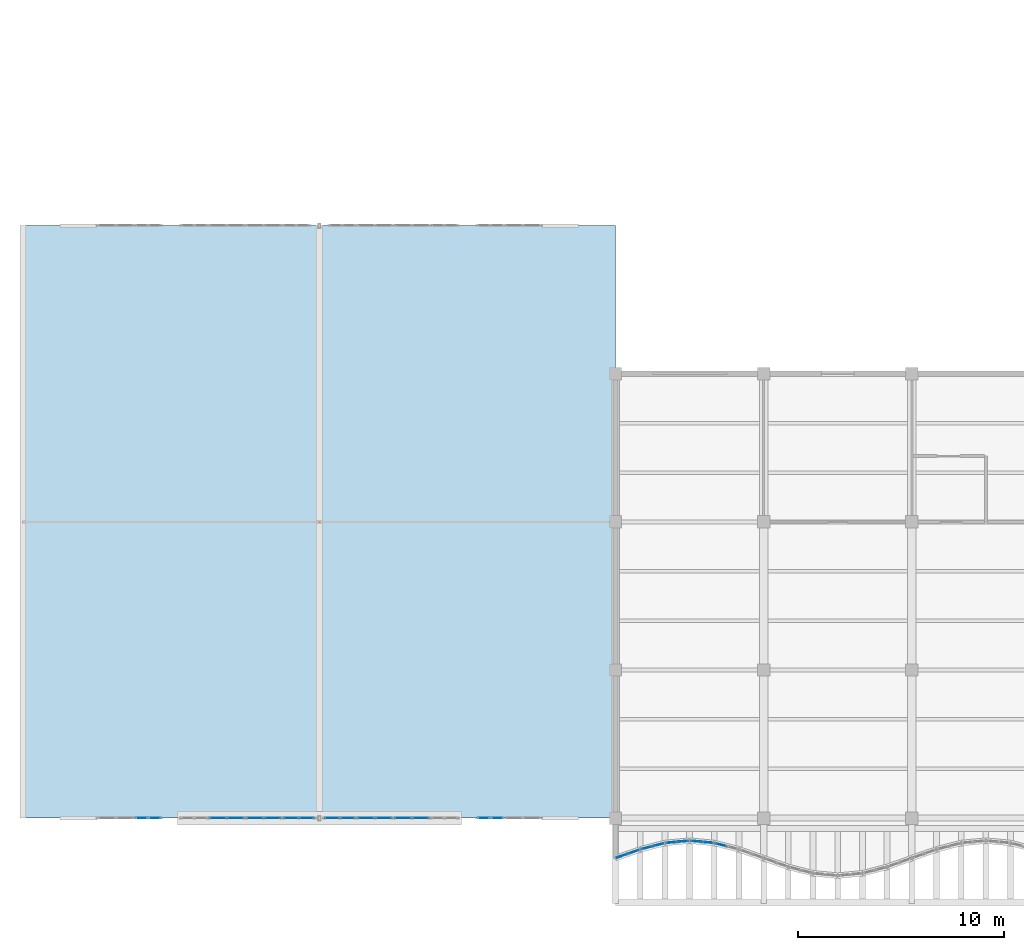
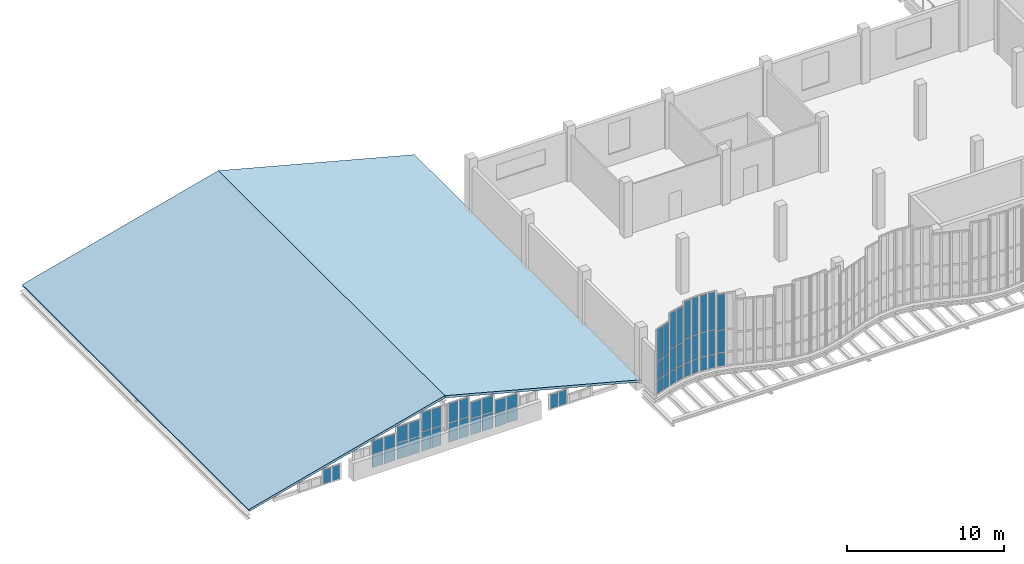
# One storey, part 49 of 76: 55 plates, 2 slabs, 14 elements without a shape of their own.
"""IFC4 building model written with IfcOpenShell, lengths in metres."""

from ifc_helpers import new_model, si_unit, direction, frame, origin, origin_2d, place, context, subcontext, project, spatial, polyline, rectangle, outline, extrude, material, layer, layer_set, type_object, element, aggregate, save


model = new_model("IFC4")

# Units and contexts
model_context = context("Model", 3, precision=1e-05, world=origin(), true_north=direction((0.0, 1.0)))
body_context = subcontext(model_context, "Body", "Model", "MODEL_VIEW")
ifc_project = project(units=[si_unit("LENGTHUNIT", "METRE"), si_unit("AREAUNIT", "SQUARE_METRE"), si_unit("VOLUMEUNIT", "CUBIC_METRE"), si_unit("PLANEANGLEUNIT", "RADIAN"), si_unit("MASSUNIT", "GRAM", prefix="KILO"), si_unit("THERMODYNAMICTEMPERATUREUNIT", "KELVIN"), si_unit("POWERUNIT", "WATT")], contexts=[model_context])

# Site, building, storey
site_placement = place(None, origin())
site = spatial("IfcSite", under=ifc_project, at=site_placement, CompositionType="ELEMENT")
building_placement = place(site_placement, origin())
building = spatial("IfcBuilding", under=site, at=building_placement, Name="Kaldorven Railside Theatre", CompositionType="ELEMENT")
storey_placement = place(building_placement, frame((0.0, 0.0, 14.39990234375)))
storey = spatial("IfcBuildingStorey", under=building, at=storey_placement, Name="L03", CompositionType="ELEMENT", Elevation=14.39990234375)

# Curtain wall, plates
ifc_material_1 = material(Name="Low-E laminated solar-control glass", Category="glass")
ifc_layer_1 = layer(ifc_material_1, 0.159912109375, Name="Low-E laminated solar-control glass")
ifc_layer_set_1 = layer_set([ifc_layer_1], Name="Low-E laminated solar-control glass")
curtain_wall_type_1 = type_object("IfcCurtainWallType", Name="CWT-08", PredefinedType="USERDEFINED", material=ifc_layer_set_1)
curtain_wall_1_placement = place(storey_placement, origin())
curtain_wall_1 = element("IfcCurtainWall", 1, at=curtain_wall_1_placement, inside=storey, type_object=curtain_wall_type_1, Name="Sinusoidal Fluted Curtain Wall CW-L03-S01", ObjectType="FLUTED GLAZING", PredefinedType="USERDEFINED")
ifc_layer_2 = layer(ifc_material_1, 0.035888671875, Name="Low-E laminated solar-control glass")
ifc_layer_set_2 = layer_set([ifc_layer_2], Name="Low-E laminated solar-control glass")
plate_type_1 = type_object("IfcPlateType", Name="CWP-CREST36", PredefinedType="CURTAIN_PANEL", material=ifc_layer_set_2)
plate_1_placement = place(storey_placement, frame((37.118896484375, 17.363037109375, 0.06005859375), z_axis=(0.0, 0.0, 1.0), x_axis=(0.942627225159, 0.33384714225, 0.0)))
plate_1 = element("IfcPlate", 2, at=plate_1_placement, type_object=plate_type_1, Name="CW-L03-S01 panel 1.1", PredefinedType="CURTAIN_PANEL", context=body_context, shape_type="SweptSolid", body=[
    extrude(rectangle(XDim=0.5166015625, YDim=0.035888671875, at=origin_2d()), origin(), (0.0, 0.0, 1.0), 1.010009765625),
])
plate_2_placement = place(storey_placement, frame((37.118896484375, 17.363037109375, 1.1298828125), z_axis=(0.0, 0.0, 1.0), x_axis=(0.942627225159, 0.33384714225, 0.0)))
plate_2 = element("IfcPlate", 3, at=plate_2_placement, type_object=plate_type_1, Name="CW-L03-S01 panel 1.2", PredefinedType="CURTAIN_PANEL", context=body_context, shape_type="SweptSolid", body=[
    extrude(rectangle(XDim=0.5166015625, YDim=0.035888671875, at=origin_2d()), origin(), (0.0, 0.0, 1.0), 1.385009765625),
])
plate_3_placement = place(storey_placement, frame((37.118896484375, 17.363037109375, 2.574951171875), z_axis=(0.0, 0.0, 1.0), x_axis=(0.942627225159, 0.33384714225, 0.0)))
plate_3 = element("IfcPlate", 4, at=plate_3_placement, type_object=plate_type_1, Name="CW-L03-S01 panel 1.3", PredefinedType="CURTAIN_PANEL", context=body_context, shape_type="SweptSolid", body=[
    extrude(rectangle(XDim=0.5166015625, YDim=0.035888671875, at=origin_2d()), origin(), (0.0, 0.0, 1.0), 2.455078125),
])
plate_4_placement = place(storey_placement, frame((37.68115234375, 17.56201171875, 0.06005859375), z_axis=(0.0, 0.0, 1.0), x_axis=(0.942627225159, 0.33384714225, 0.0)))
plate_4 = element("IfcPlate", 5, at=plate_4_placement, type_object=plate_type_1, Name="CW-L03-S01 panel 2.1", PredefinedType="CURTAIN_PANEL", context=body_context, shape_type="SweptSolid", body=[
    extrude(rectangle(XDim=0.5166015625, YDim=0.035888671875, at=origin_2d()), origin(), (0.0, 0.0, 1.0), 1.010009765625),
])
plate_5_placement = place(storey_placement, frame((37.68115234375, 17.56201171875, 1.1298828125), z_axis=(0.0, 0.0, 1.0), x_axis=(0.942627225159, 0.33384714225, 0.0)))
plate_5 = element("IfcPlate", 6, at=plate_5_placement, type_object=plate_type_1, Name="CW-L03-S01 panel 2.2", PredefinedType="CURTAIN_PANEL", context=body_context, shape_type="SweptSolid", body=[
    extrude(rectangle(XDim=0.5166015625, YDim=0.035888671875, at=origin_2d()), origin(), (0.0, 0.0, 1.0), 1.385009765625),
])
plate_6_placement = place(storey_placement, frame((37.68115234375, 17.56201171875, 2.574951171875), z_axis=(0.0, 0.0, 1.0), x_axis=(0.942627225159, 0.33384714225, 0.0)))
plate_6 = element("IfcPlate", 7, at=plate_6_placement, type_object=plate_type_1, Name="CW-L03-S01 panel 2.3", PredefinedType="CURTAIN_PANEL", context=body_context, shape_type="SweptSolid", body=[
    extrude(rectangle(XDim=0.5166015625, YDim=0.035888671875, at=origin_2d()), origin(), (0.0, 0.0, 1.0), 2.455078125),
])
aggregate(curtain_wall_1, [plate_1, plate_2, plate_3, plate_4, plate_5, plate_6])

ifc_layer_3 = layer(ifc_material_1, 0.159912109375, Name="Low-E laminated solar-control glass")
ifc_layer_set_3 = layer_set([ifc_layer_3], Name="Low-E laminated solar-control glass")
curtain_wall_type_2 = type_object("IfcCurtainWallType", Name="CWT-09", PredefinedType="USERDEFINED", material=ifc_layer_set_3)
curtain_wall_2_placement = place(storey_placement, origin())
curtain_wall_2 = element("IfcCurtainWall", 8, at=curtain_wall_2_placement, inside=storey, type_object=curtain_wall_type_2, Name="Sinusoidal Fluted Curtain Wall CW-L03-S02", ObjectType="FLUTED GLAZING", PredefinedType="USERDEFINED")
plate_7_placement = place(storey_placement, frame((38.3193359375, 17.7578125, 0.06005859375), z_axis=(0.0, 0.0, 1.0), x_axis=(0.967999075505, 0.250953760326, 0.0)))
plate_7 = element("IfcPlate", 9, at=plate_7_placement, type_object=plate_type_1, Name="CW-L03-S02 panel 1.1", PredefinedType="CURTAIN_PANEL", context=body_context, shape_type="SweptSolid", body=[
    extrude(rectangle(XDim=0.499755859375, YDim=0.035888671875, at=origin_2d()), origin(), (0.0, 0.0, 1.0), 1.010009765625),
])
plate_8_placement = place(storey_placement, frame((38.3193359375, 17.7578125, 1.130126953125), z_axis=(0.0, 0.0, 1.0), x_axis=(0.967999075505, 0.250953760326, 0.0)))
plate_8 = element("IfcPlate", 10, at=plate_8_placement, type_object=plate_type_1, Name="CW-L03-S02 panel 1.2", PredefinedType="CURTAIN_PANEL", context=body_context, shape_type="SweptSolid", body=[
    extrude(rectangle(XDim=0.499755859375, YDim=0.035888671875, at=origin_2d()), origin(), (0.0, 0.0, 1.0), 1.68505859375),
])
plate_9_placement = place(storey_placement, frame((38.3193359375, 17.7578125, 2.875244140625), z_axis=(0.0, 0.0, 1.0), x_axis=(0.967999075505, 0.250953760326, 0.0)))
plate_9 = element("IfcPlate", 11, at=plate_9_placement, type_object=plate_type_1, Name="CW-L03-S02 panel 1.3", PredefinedType="CURTAIN_PANEL", context=body_context, shape_type="SweptSolid", body=[
    extrude(rectangle(XDim=0.499755859375, YDim=0.035888671875, at=origin_2d()), origin(), (0.0, 0.0, 1.0), 2.7548828125),
])
plate_10_placement = place(storey_placement, frame((38.880615234375, 17.9033203125, 0.06005859375), z_axis=(0.0, 0.0, 1.0), x_axis=(0.967999075505, 0.250953760326, 0.0)))
plate_10 = element("IfcPlate", 12, at=plate_10_placement, type_object=plate_type_1, Name="CW-L03-S02 panel 2.1", PredefinedType="CURTAIN_PANEL", context=body_context, shape_type="SweptSolid", body=[
    extrude(rectangle(XDim=0.499755859375, YDim=0.035888671875, at=origin_2d()), origin(), (0.0, 0.0, 1.0), 1.010009765625),
])
plate_11_placement = place(storey_placement, frame((38.880615234375, 17.9033203125, 1.130126953125), z_axis=(0.0, 0.0, 1.0), x_axis=(0.967999075505, 0.250953760326, 0.0)))
plate_11 = element("IfcPlate", 13, at=plate_11_placement, type_object=plate_type_1, Name="CW-L03-S02 panel 2.2", PredefinedType="CURTAIN_PANEL", context=body_context, shape_type="SweptSolid", body=[
    extrude(rectangle(XDim=0.499755859375, YDim=0.035888671875, at=origin_2d()), origin(), (0.0, 0.0, 1.0), 1.68505859375),
])
plate_12_placement = place(storey_placement, frame((38.880615234375, 17.9033203125, 2.875244140625), z_axis=(0.0, 0.0, 1.0), x_axis=(0.967999075505, 0.250953760326, 0.0)))
plate_12 = element("IfcPlate", 14, at=plate_12_placement, type_object=plate_type_1, Name="CW-L03-S02 panel 2.3", PredefinedType="CURTAIN_PANEL", context=body_context, shape_type="SweptSolid", body=[
    extrude(rectangle(XDim=0.499755859375, YDim=0.035888671875, at=origin_2d()), origin(), (0.0, 0.0, 1.0), 2.7548828125),
])
aggregate(curtain_wall_2, [plate_7, plate_8, plate_9, plate_10, plate_11, plate_12])

ifc_layer_4 = layer(ifc_material_1, 0.159912109375, Name="Low-E laminated solar-control glass")
ifc_layer_set_4 = layer_set([ifc_layer_4], Name="Low-E laminated solar-control glass")
curtain_wall_type_3 = type_object("IfcCurtainWallType", Name="CWT-10", PredefinedType="USERDEFINED", material=ifc_layer_set_4)
curtain_wall_3_placement = place(storey_placement, origin())
curtain_wall_3 = element("IfcCurtainWall", 15, at=curtain_wall_3_placement, inside=storey, type_object=curtain_wall_type_3, Name="Sinusoidal Fluted Curtain Wall CW-L03-S03", ObjectType="FLUTED GLAZING", PredefinedType="USERDEFINED")
plate_13_placement = place(storey_placement, frame((39.52001953125, 18.016357421875, 0.06005859375), z_axis=(0.0, 0.0, 1.0), x_axis=(0.995525623425, 0.094491973758, 0.0)))
plate_13 = element("IfcPlate", 16, at=plate_13_placement, type_object=plate_type_1, Name="CW-L03-S03 panel 1.1", PredefinedType="CURTAIN_PANEL", context=body_context, shape_type="SweptSolid", body=[
    extrude(rectangle(XDim=0.482666015625, YDim=0.035888671875, at=origin_2d()), origin(), (0.0, 0.0, 1.0), 1.010009765625),
])
plate_14_placement = place(storey_placement, frame((39.52001953125, 18.016357421875, 1.130126953125), z_axis=(0.0, 0.0, 1.0), x_axis=(0.995525623425, 0.094491973758, 0.0)))
plate_14 = element("IfcPlate", 17, at=plate_14_placement, type_object=plate_type_1, Name="CW-L03-S03 panel 1.2", PredefinedType="CURTAIN_PANEL", context=body_context, shape_type="SweptSolid", body=[
    extrude(rectangle(XDim=0.482666015625, YDim=0.035888671875, at=origin_2d()), origin(), (0.0, 0.0, 1.0), 1.830078125),
])
plate_15_placement = place(storey_placement, frame((39.52001953125, 18.016357421875, 3.020263671875), z_axis=(0.0, 0.0, 1.0), x_axis=(0.995525623425, 0.094491973758, 0.0)))
plate_15 = element("IfcPlate", 18, at=plate_15_placement, type_object=plate_type_1, Name="CW-L03-S03 panel 1.3", PredefinedType="CURTAIN_PANEL", context=body_context, shape_type="SweptSolid", body=[
    extrude(rectangle(XDim=0.482666015625, YDim=0.035888671875, at=origin_2d()), origin(), (0.0, 0.0, 1.0), 2.89990234375),
])
plate_16_placement = place(storey_placement, frame((40.080078125, 18.069580078125, 0.06005859375), z_axis=(0.0, 0.0, 1.0), x_axis=(0.995525623425, 0.094491973758, 0.0)))
plate_16 = element("IfcPlate", 19, at=plate_16_placement, type_object=plate_type_1, Name="CW-L03-S03 panel 2.1", PredefinedType="CURTAIN_PANEL", context=body_context, shape_type="SweptSolid", body=[
    extrude(rectangle(XDim=0.482666015625, YDim=0.035888671875, at=origin_2d()), origin(), (0.0, 0.0, 1.0), 1.010009765625),
])
plate_17_placement = place(storey_placement, frame((40.080078125, 18.069580078125, 1.130126953125), z_axis=(0.0, 0.0, 1.0), x_axis=(0.995525623425, 0.094491973758, 0.0)))
plate_17 = element("IfcPlate", 20, at=plate_17_placement, type_object=plate_type_1, Name="CW-L03-S03 panel 2.2", PredefinedType="CURTAIN_PANEL", context=body_context, shape_type="SweptSolid", body=[
    extrude(rectangle(XDim=0.482666015625, YDim=0.035888671875, at=origin_2d()), origin(), (0.0, 0.0, 1.0), 1.830078125),
])
plate_18_placement = place(storey_placement, frame((40.080078125, 18.069580078125, 3.020263671875), z_axis=(0.0, 0.0, 1.0), x_axis=(0.995525623425, 0.094491973758, 0.0)))
plate_18 = element("IfcPlate", 21, at=plate_18_placement, type_object=plate_type_1, Name="CW-L03-S03 panel 2.3", PredefinedType="CURTAIN_PANEL", context=body_context, shape_type="SweptSolid", body=[
    extrude(rectangle(XDim=0.482666015625, YDim=0.035888671875, at=origin_2d()), origin(), (0.0, 0.0, 1.0), 2.89990234375),
])
aggregate(curtain_wall_3, [plate_13, plate_14, plate_15, plate_16, plate_17, plate_18])

curtain_wall_4_placement = place(storey_placement, origin())
curtain_wall_4 = element("IfcCurtainWall", 22, at=curtain_wall_4_placement, inside=storey, type_object=curtain_wall_type_3, Name="Sinusoidal Fluted Curtain Wall CW-L03-S04", ObjectType="FLUTED GLAZING", PredefinedType="USERDEFINED")
plate_19_placement = place(storey_placement, frame((40.719970703125, 18.069580078125, 0.06005859375), z_axis=(0.0, 0.0, 1.0), x_axis=(0.995525623425, -0.094491973758, 0.0)))
plate_19 = element("IfcPlate", 23, at=plate_19_placement, type_object=plate_type_1, Name="CW-L03-S04 panel 1.1", PredefinedType="CURTAIN_PANEL", context=body_context, shape_type="SweptSolid", body=[
    extrude(rectangle(XDim=0.482666015625, YDim=0.035888671875, at=origin_2d()), origin(), (0.0, 0.0, 1.0), 1.010009765625),
])
plate_20_placement = place(storey_placement, frame((40.719970703125, 18.069580078125, 1.130126953125), z_axis=(0.0, 0.0, 1.0), x_axis=(0.995525623425, -0.094491973758, 0.0)))
plate_20 = element("IfcPlate", 24, at=plate_20_placement, type_object=plate_type_1, Name="CW-L03-S04 panel 1.2", PredefinedType="CURTAIN_PANEL", context=body_context, shape_type="SweptSolid", body=[
    extrude(rectangle(XDim=0.482666015625, YDim=0.035888671875, at=origin_2d()), origin(), (0.0, 0.0, 1.0), 1.830078125),
])
plate_21_placement = place(storey_placement, frame((40.719970703125, 18.069580078125, 3.020263671875), z_axis=(0.0, 0.0, 1.0), x_axis=(0.995525623425, -0.094491973758, 0.0)))
plate_21 = element("IfcPlate", 25, at=plate_21_placement, type_object=plate_type_1, Name="CW-L03-S04 panel 1.3", PredefinedType="CURTAIN_PANEL", context=body_context, shape_type="SweptSolid", body=[
    extrude(rectangle(XDim=0.482666015625, YDim=0.035888671875, at=origin_2d()), origin(), (0.0, 0.0, 1.0), 2.89990234375),
])
plate_22_placement = place(storey_placement, frame((41.280029296875, 18.016357421875, 0.06005859375), z_axis=(0.0, 0.0, 1.0), x_axis=(0.995525623425, -0.094491973758, 0.0)))
plate_22 = element("IfcPlate", 26, at=plate_22_placement, type_object=plate_type_1, Name="CW-L03-S04 panel 2.1", PredefinedType="CURTAIN_PANEL", context=body_context, shape_type="SweptSolid", body=[
    extrude(rectangle(XDim=0.482666015625, YDim=0.035888671875, at=origin_2d()), origin(), (0.0, 0.0, 1.0), 1.010009765625),
])
plate_23_placement = place(storey_placement, frame((41.280029296875, 18.016357421875, 1.130126953125), z_axis=(0.0, 0.0, 1.0), x_axis=(0.995525623425, -0.094491973758, 0.0)))
plate_23 = element("IfcPlate", 27, at=plate_23_placement, type_object=plate_type_1, Name="CW-L03-S04 panel 2.2", PredefinedType="CURTAIN_PANEL", context=body_context, shape_type="SweptSolid", body=[
    extrude(rectangle(XDim=0.482666015625, YDim=0.035888671875, at=origin_2d()), origin(), (0.0, 0.0, 1.0), 1.830078125),
])
plate_24_placement = place(storey_placement, frame((41.280029296875, 18.016357421875, 3.020263671875), z_axis=(0.0, 0.0, 1.0), x_axis=(0.995525623425, -0.094491973758, 0.0)))
plate_24 = element("IfcPlate", 28, at=plate_24_placement, type_object=plate_type_1, Name="CW-L03-S04 panel 2.3", PredefinedType="CURTAIN_PANEL", context=body_context, shape_type="SweptSolid", body=[
    extrude(rectangle(XDim=0.482666015625, YDim=0.035888671875, at=origin_2d()), origin(), (0.0, 0.0, 1.0), 2.89990234375),
])
aggregate(curtain_wall_4, [plate_19, plate_20, plate_21, plate_22, plate_23, plate_24])

curtain_wall_5_placement = place(storey_placement, origin())
curtain_wall_5 = element("IfcCurtainWall", 29, at=curtain_wall_5_placement, inside=storey, type_object=curtain_wall_type_2, Name="Sinusoidal Fluted Curtain Wall CW-L03-S05", ObjectType="FLUTED GLAZING", PredefinedType="USERDEFINED")
plate_25_placement = place(storey_placement, frame((41.91943359375, 17.9033203125, 0.06005859375), z_axis=(0.0, 0.0, 1.0), x_axis=(0.967999075505, -0.250953760326, 0.0)))
plate_25 = element("IfcPlate", 30, at=plate_25_placement, type_object=plate_type_1, Name="CW-L03-S05 panel 1.1", PredefinedType="CURTAIN_PANEL", context=body_context, shape_type="SweptSolid", body=[
    extrude(rectangle(XDim=0.499755859375, YDim=0.035888671875, at=origin_2d()), origin(), (0.0, 0.0, 1.0), 1.010009765625),
])
plate_26_placement = place(storey_placement, frame((41.91943359375, 17.9033203125, 1.130126953125), z_axis=(0.0, 0.0, 1.0), x_axis=(0.967999075505, -0.250953760326, 0.0)))
plate_26 = element("IfcPlate", 31, at=plate_26_placement, type_object=plate_type_1, Name="CW-L03-S05 panel 1.2", PredefinedType="CURTAIN_PANEL", context=body_context, shape_type="SweptSolid", body=[
    extrude(rectangle(XDim=0.499755859375, YDim=0.035888671875, at=origin_2d()), origin(), (0.0, 0.0, 1.0), 1.68505859375),
])
plate_27_placement = place(storey_placement, frame((41.91943359375, 17.9033203125, 2.875244140625), z_axis=(0.0, 0.0, 1.0), x_axis=(0.967999075505, -0.250953760326, 0.0)))
plate_27 = element("IfcPlate", 32, at=plate_27_placement, type_object=plate_type_1, Name="CW-L03-S05 panel 1.3", PredefinedType="CURTAIN_PANEL", context=body_context, shape_type="SweptSolid", body=[
    extrude(rectangle(XDim=0.499755859375, YDim=0.035888671875, at=origin_2d()), origin(), (0.0, 0.0, 1.0), 2.7548828125),
])
aggregate(curtain_wall_5, [plate_25, plate_26, plate_27])

ifc_layer_5 = layer(ifc_material_1, 0.159912109375, Name="Low-E laminated solar-control glass")
ifc_layer_set_5 = layer_set([ifc_layer_5], Name="Low-E laminated solar-control glass")
curtain_wall_type_4 = type_object("IfcCurtainWallType", Name="CWT-61", PredefinedType="USERDEFINED", material=ifc_layer_set_5)
curtain_wall_6_placement = place(storey_placement, origin())
curtain_wall_6 = element("IfcCurtainWall", 33, at=curtain_wall_6_placement, inside=storey, type_object=curtain_wall_type_4, Name="Studio South Gable Clerestory CWG-113", ObjectType="FLUTED GLAZING", PredefinedType="USERDEFINED")
ifc_layer_6 = layer(ifc_material_1, 0.028076171875, Name="Low-E laminated solar-control glass")
ifc_layer_set_6 = layer_set([ifc_layer_6], Name="Low-E laminated solar-control glass")
plate_type_2 = type_object("IfcPlateType", Name="CWP-GLZ28", PredefinedType="CURTAIN_PANEL", material=ifc_layer_set_6)
plate_28_placement = place(storey_placement, frame((13.760009765625, 19.199951171875, 0.080078125), z_axis=(0.0, 0.0, 1.0), x_axis=(1.0, 0.0, 0.0)))
plate_28 = element("IfcPlate", 34, at=plate_28_placement, type_object=plate_type_2, Name="CWG-113 panel 1.1", PredefinedType="CURTAIN_PANEL", context=body_context, shape_type="SweptSolid", body=[
    extrude(rectangle(XDim=0.56005859375, YDim=0.028076171875, at=origin_2d()), origin(), (0.0, 0.0, 1.0), 1.10009765625),
])
plate_29_placement = place(storey_placement, frame((14.39990234375, 19.199951171875, 0.080078125), z_axis=(0.0, 0.0, 1.0), x_axis=(1.0, 0.0, 0.0)))
plate_29 = element("IfcPlate", 35, at=plate_29_placement, type_object=plate_type_2, Name="CWG-113 panel 2.1", PredefinedType="CURTAIN_PANEL", context=body_context, shape_type="SweptSolid", body=[
    extrude(rectangle(XDim=0.56005859375, YDim=0.028076171875, at=origin_2d()), origin(), (0.0, 0.0, 1.0), 1.10009765625),
])
aggregate(curtain_wall_6, [plate_28, plate_29])

ifc_layer_7 = layer(ifc_material_1, 0.159912109375, Name="Low-E laminated solar-control glass")
ifc_layer_set_7 = layer_set([ifc_layer_7], Name="Low-E laminated solar-control glass")
curtain_wall_type_5 = type_object("IfcCurtainWallType", Name="CWT-63", PredefinedType="USERDEFINED", material=ifc_layer_set_7)
curtain_wall_7_placement = place(storey_placement, origin())
curtain_wall_7 = element("IfcCurtainWall", 36, at=curtain_wall_7_placement, inside=storey, type_object=curtain_wall_type_5, Name="Studio South Gable Clerestory CWG-115", ObjectType="FLUTED GLAZING", PredefinedType="USERDEFINED")
plate_30_placement = place(storey_placement, frame((17.469970703125, 19.199951171875, 0.080078125), z_axis=(0.0, 0.0, 1.0), x_axis=(1.0, 0.0, 0.0)))
plate_30 = element("IfcPlate", 37, at=plate_30_placement, type_object=plate_type_2, Name="CWG-115 panel 1.1", PredefinedType="CURTAIN_PANEL", context=body_context, shape_type="SweptSolid", body=[
    extrude(rectangle(XDim=0.780029296875, YDim=0.028076171875, at=origin_2d()), origin(), (0.0, 0.0, 1.0), 0.9951171875),
])
plate_31_placement = place(storey_placement, frame((17.469970703125, 19.199951171875, 1.135009765625), z_axis=(0.0, 0.0, 1.0), x_axis=(1.0, 0.0, 0.0)))
plate_31 = element("IfcPlate", 38, at=plate_31_placement, type_object=plate_type_2, Name="CWG-115 panel 1.2", PredefinedType="CURTAIN_PANEL", context=body_context, shape_type="SweptSolid", body=[
    extrude(rectangle(XDim=0.780029296875, YDim=0.028076171875, at=origin_2d()), origin(), (0.0, 0.0, 1.0), 0.9951171875),
])
plate_32_placement = place(storey_placement, frame((18.330078125, 19.199951171875, 0.080078125), z_axis=(0.0, 0.0, 1.0), x_axis=(1.0, 0.0, 0.0)))
plate_32 = element("IfcPlate", 39, at=plate_32_placement, type_object=plate_type_2, Name="CWG-115 panel 2.1", PredefinedType="CURTAIN_PANEL", context=body_context, shape_type="SweptSolid", body=[
    extrude(rectangle(XDim=0.780029296875, YDim=0.028076171875, at=origin_2d()), origin(), (0.0, 0.0, 1.0), 0.9951171875),
])
plate_33_placement = place(storey_placement, frame((18.330078125, 19.199951171875, 1.135009765625), z_axis=(0.0, 0.0, 1.0), x_axis=(1.0, 0.0, 0.0)))
plate_33 = element("IfcPlate", 40, at=plate_33_placement, type_object=plate_type_2, Name="CWG-115 panel 2.2", PredefinedType="CURTAIN_PANEL", context=body_context, shape_type="SweptSolid", body=[
    extrude(rectangle(XDim=0.780029296875, YDim=0.028076171875, at=origin_2d()), origin(), (0.0, 0.0, 1.0), 0.9951171875),
])
aggregate(curtain_wall_7, [plate_30, plate_31, plate_32, plate_33])

ifc_layer_8 = layer(ifc_material_1, 0.159912109375, Name="Low-E laminated solar-control glass")
ifc_layer_set_8 = layer_set([ifc_layer_8], Name="Low-E laminated solar-control glass")
curtain_wall_type_6 = type_object("IfcCurtainWallType", Name="CWT-64", PredefinedType="USERDEFINED", material=ifc_layer_set_8)
curtain_wall_8_placement = place(storey_placement, origin())
curtain_wall_8 = element("IfcCurtainWall", 41, at=curtain_wall_8_placement, inside=storey, type_object=curtain_wall_type_6, Name="Studio South Gable Clerestory CWG-116", ObjectType="FLUTED GLAZING", PredefinedType="USERDEFINED")
plate_34_placement = place(storey_placement, frame((19.27001953125, 19.199951171875, 0.080078125), z_axis=(0.0, 0.0, 1.0), x_axis=(1.0, 0.0, 0.0)))
plate_34 = element("IfcPlate", 42, at=plate_34_placement, type_object=plate_type_2, Name="CWG-116 panel 1.1", PredefinedType="CURTAIN_PANEL", context=body_context, shape_type="SweptSolid", body=[
    extrude(rectangle(XDim=0.780029296875, YDim=0.028076171875, at=origin_2d()), origin(), (0.0, 0.0, 1.0), 1.22998046875),
])
plate_35_placement = place(storey_placement, frame((19.27001953125, 19.199951171875, 1.3701171875), z_axis=(0.0, 0.0, 1.0), x_axis=(1.0, 0.0, 0.0)))
plate_35 = element("IfcPlate", 43, at=plate_35_placement, type_object=plate_type_2, Name="CWG-116 panel 1.2", PredefinedType="CURTAIN_PANEL", context=body_context, shape_type="SweptSolid", body=[
    extrude(rectangle(XDim=0.780029296875, YDim=0.028076171875, at=origin_2d()), origin(), (0.0, 0.0, 1.0), 1.22998046875),
])
plate_36_placement = place(storey_placement, frame((20.1298828125, 19.199951171875, 0.080078125), z_axis=(0.0, 0.0, 1.0), x_axis=(1.0, 0.0, 0.0)))
plate_36 = element("IfcPlate", 44, at=plate_36_placement, type_object=plate_type_2, Name="CWG-116 panel 2.1", PredefinedType="CURTAIN_PANEL", context=body_context, shape_type="SweptSolid", body=[
    extrude(rectangle(XDim=0.780029296875, YDim=0.028076171875, at=origin_2d()), origin(), (0.0, 0.0, 1.0), 1.22998046875),
])
plate_37_placement = place(storey_placement, frame((20.1298828125, 19.199951171875, 1.3701171875), z_axis=(0.0, 0.0, 1.0), x_axis=(1.0, 0.0, 0.0)))
plate_37 = element("IfcPlate", 45, at=plate_37_placement, type_object=plate_type_2, Name="CWG-116 panel 2.2", PredefinedType="CURTAIN_PANEL", context=body_context, shape_type="SweptSolid", body=[
    extrude(rectangle(XDim=0.780029296875, YDim=0.028076171875, at=origin_2d()), origin(), (0.0, 0.0, 1.0), 1.22998046875),
])
aggregate(curtain_wall_8, [plate_34, plate_35, plate_36, plate_37])

ifc_layer_9 = layer(ifc_material_1, 0.159912109375, Name="Low-E laminated solar-control glass")
ifc_layer_set_9 = layer_set([ifc_layer_9], Name="Low-E laminated solar-control glass")
curtain_wall_type_7 = type_object("IfcCurtainWallType", Name="CWT-65", PredefinedType="USERDEFINED", material=ifc_layer_set_9)
curtain_wall_9_placement = place(storey_placement, origin())
curtain_wall_9 = element("IfcCurtainWall", 46, at=curtain_wall_9_placement, inside=storey, type_object=curtain_wall_type_7, Name="Studio South Gable Clerestory CWG-117", ObjectType="FLUTED GLAZING", PredefinedType="USERDEFINED")
plate_38_placement = place(storey_placement, frame((21.02001953125, 19.199951171875, 0.080078125), z_axis=(0.0, 0.0, 1.0), x_axis=(1.0, 0.0, 0.0)))
plate_38 = element("IfcPlate", 47, at=plate_38_placement, type_object=plate_type_2, Name="CWG-117 panel 1.1", PredefinedType="CURTAIN_PANEL", context=body_context, shape_type="SweptSolid", body=[
    extrude(rectangle(XDim=0.679931640625, YDim=0.028076171875, at=origin_2d()), origin(), (0.0, 0.0, 1.0), 1.469970703125),
])
plate_39_placement = place(storey_placement, frame((21.02001953125, 19.199951171875, 1.6103515625), z_axis=(0.0, 0.0, 1.0), x_axis=(1.0, 0.0, 0.0)))
plate_39 = element("IfcPlate", 48, at=plate_39_placement, type_object=plate_type_2, Name="CWG-117 panel 1.2", PredefinedType="CURTAIN_PANEL", context=body_context, shape_type="SweptSolid", body=[
    extrude(rectangle(XDim=0.679931640625, YDim=0.028076171875, at=origin_2d()), origin(), (0.0, 0.0, 1.0), 1.469970703125),
])
plate_40_placement = place(storey_placement, frame((21.780029296875, 19.199951171875, 0.080078125), z_axis=(0.0, 0.0, 1.0), x_axis=(1.0, 0.0, 0.0)))
plate_40 = element("IfcPlate", 49, at=plate_40_placement, type_object=plate_type_2, Name="CWG-117 panel 2.1", PredefinedType="CURTAIN_PANEL", context=body_context, shape_type="SweptSolid", body=[
    extrude(rectangle(XDim=0.679931640625, YDim=0.028076171875, at=origin_2d()), origin(), (0.0, 0.0, 1.0), 1.469970703125),
])
plate_41_placement = place(storey_placement, frame((21.780029296875, 19.199951171875, 1.6103515625), z_axis=(0.0, 0.0, 1.0), x_axis=(1.0, 0.0, 0.0)))
plate_41 = element("IfcPlate", 50, at=plate_41_placement, type_object=plate_type_2, Name="CWG-117 panel 2.2", PredefinedType="CURTAIN_PANEL", context=body_context, shape_type="SweptSolid", body=[
    extrude(rectangle(XDim=0.679931640625, YDim=0.028076171875, at=origin_2d()), origin(), (0.0, 0.0, 1.0), 1.469970703125),
])
aggregate(curtain_wall_9, [plate_38, plate_39, plate_40, plate_41])

curtain_wall_10_placement = place(storey_placement, origin())
curtain_wall_10 = element("IfcCurtainWall", 51, at=curtain_wall_10_placement, inside=storey, type_object=curtain_wall_type_7, Name="Studio South Gable Clerestory CWG-118", ObjectType="FLUTED GLAZING", PredefinedType="USERDEFINED")
plate_42_placement = place(storey_placement, frame((23.02001953125, 19.199951171875, 0.080078125), z_axis=(0.0, 0.0, 1.0), x_axis=(1.0, 0.0, 0.0)))
plate_42 = element("IfcPlate", 52, at=plate_42_placement, type_object=plate_type_2, Name="CWG-118 panel 1.1", PredefinedType="CURTAIN_PANEL", context=body_context, shape_type="SweptSolid", body=[
    extrude(rectangle(XDim=0.679931640625, YDim=0.028076171875, at=origin_2d()), origin(), (0.0, 0.0, 1.0), 1.469970703125),
])
plate_43_placement = place(storey_placement, frame((23.02001953125, 19.199951171875, 1.6103515625), z_axis=(0.0, 0.0, 1.0), x_axis=(1.0, 0.0, 0.0)))
plate_43 = element("IfcPlate", 53, at=plate_43_placement, type_object=plate_type_2, Name="CWG-118 panel 1.2", PredefinedType="CURTAIN_PANEL", context=body_context, shape_type="SweptSolid", body=[
    extrude(rectangle(XDim=0.679931640625, YDim=0.028076171875, at=origin_2d()), origin(), (0.0, 0.0, 1.0), 1.469970703125),
])
plate_44_placement = place(storey_placement, frame((23.780029296875, 19.199951171875, 0.080078125), z_axis=(0.0, 0.0, 1.0), x_axis=(1.0, 0.0, 0.0)))
plate_44 = element("IfcPlate", 54, at=plate_44_placement, type_object=plate_type_2, Name="CWG-118 panel 2.1", PredefinedType="CURTAIN_PANEL", context=body_context, shape_type="SweptSolid", body=[
    extrude(rectangle(XDim=0.679931640625, YDim=0.028076171875, at=origin_2d()), origin(), (0.0, 0.0, 1.0), 1.469970703125),
])
plate_45_placement = place(storey_placement, frame((23.780029296875, 19.199951171875, 1.6103515625), z_axis=(0.0, 0.0, 1.0), x_axis=(1.0, 0.0, 0.0)))
plate_45 = element("IfcPlate", 55, at=plate_45_placement, type_object=plate_type_2, Name="CWG-118 panel 2.2", PredefinedType="CURTAIN_PANEL", context=body_context, shape_type="SweptSolid", body=[
    extrude(rectangle(XDim=0.679931640625, YDim=0.028076171875, at=origin_2d()), origin(), (0.0, 0.0, 1.0), 1.469970703125),
])
aggregate(curtain_wall_10, [plate_42, plate_43, plate_44, plate_45])

curtain_wall_11_placement = place(storey_placement, origin())
curtain_wall_11 = element("IfcCurtainWall", 56, at=curtain_wall_11_placement, inside=storey, type_object=curtain_wall_type_6, Name="Studio South Gable Clerestory CWG-119", ObjectType="FLUTED GLAZING", PredefinedType="USERDEFINED")
plate_46_placement = place(storey_placement, frame((24.669921875, 19.199951171875, 0.080078125), z_axis=(0.0, 0.0, 1.0), x_axis=(1.0, 0.0, 0.0)))
plate_46 = element("IfcPlate", 57, at=plate_46_placement, type_object=plate_type_2, Name="CWG-119 panel 1.1", PredefinedType="CURTAIN_PANEL", context=body_context, shape_type="SweptSolid", body=[
    extrude(rectangle(XDim=0.780029296875, YDim=0.028076171875, at=origin_2d()), origin(), (0.0, 0.0, 1.0), 1.22998046875),
])
plate_47_placement = place(storey_placement, frame((24.669921875, 19.199951171875, 1.3701171875), z_axis=(0.0, 0.0, 1.0), x_axis=(1.0, 0.0, 0.0)))
plate_47 = element("IfcPlate", 58, at=plate_47_placement, type_object=plate_type_2, Name="CWG-119 panel 1.2", PredefinedType="CURTAIN_PANEL", context=body_context, shape_type="SweptSolid", body=[
    extrude(rectangle(XDim=0.780029296875, YDim=0.028076171875, at=origin_2d()), origin(), (0.0, 0.0, 1.0), 1.22998046875),
])
plate_48_placement = place(storey_placement, frame((25.530029296875, 19.199951171875, 0.080078125), z_axis=(0.0, 0.0, 1.0), x_axis=(1.0, 0.0, 0.0)))
plate_48 = element("IfcPlate", 59, at=plate_48_placement, type_object=plate_type_2, Name="CWG-119 panel 2.1", PredefinedType="CURTAIN_PANEL", context=body_context, shape_type="SweptSolid", body=[
    extrude(rectangle(XDim=0.780029296875, YDim=0.028076171875, at=origin_2d()), origin(), (0.0, 0.0, 1.0), 1.22998046875),
])
plate_49_placement = place(storey_placement, frame((25.530029296875, 19.199951171875, 1.3701171875), z_axis=(0.0, 0.0, 1.0), x_axis=(1.0, 0.0, 0.0)))
plate_49 = element("IfcPlate", 60, at=plate_49_placement, type_object=plate_type_2, Name="CWG-119 panel 2.2", PredefinedType="CURTAIN_PANEL", context=body_context, shape_type="SweptSolid", body=[
    extrude(rectangle(XDim=0.780029296875, YDim=0.028076171875, at=origin_2d()), origin(), (0.0, 0.0, 1.0), 1.22998046875),
])
aggregate(curtain_wall_11, [plate_46, plate_47, plate_48, plate_49])

curtain_wall_12_placement = place(storey_placement, origin())
curtain_wall_12 = element("IfcCurtainWall", 61, at=curtain_wall_12_placement, inside=storey, type_object=curtain_wall_type_5, Name="Studio South Gable Clerestory CWG-120", ObjectType="FLUTED GLAZING", PredefinedType="USERDEFINED")
plate_50_placement = place(storey_placement, frame((26.469970703125, 19.199951171875, 0.080078125), z_axis=(0.0, 0.0, 1.0), x_axis=(1.0, 0.0, 0.0)))
plate_50 = element("IfcPlate", 62, at=plate_50_placement, type_object=plate_type_2, Name="CWG-120 panel 1.1", PredefinedType="CURTAIN_PANEL", context=body_context, shape_type="SweptSolid", body=[
    extrude(rectangle(XDim=0.780029296875, YDim=0.028076171875, at=origin_2d()), origin(), (0.0, 0.0, 1.0), 0.9951171875),
])
plate_51_placement = place(storey_placement, frame((26.469970703125, 19.199951171875, 1.135009765625), z_axis=(0.0, 0.0, 1.0), x_axis=(1.0, 0.0, 0.0)))
plate_51 = element("IfcPlate", 63, at=plate_51_placement, type_object=plate_type_2, Name="CWG-120 panel 1.2", PredefinedType="CURTAIN_PANEL", context=body_context, shape_type="SweptSolid", body=[
    extrude(rectangle(XDim=0.780029296875, YDim=0.028076171875, at=origin_2d()), origin(), (0.0, 0.0, 1.0), 0.9951171875),
])
plate_52_placement = place(storey_placement, frame((27.330078125, 19.199951171875, 0.080078125), z_axis=(0.0, 0.0, 1.0), x_axis=(1.0, 0.0, 0.0)))
plate_52 = element("IfcPlate", 64, at=plate_52_placement, type_object=plate_type_2, Name="CWG-120 panel 2.1", PredefinedType="CURTAIN_PANEL", context=body_context, shape_type="SweptSolid", body=[
    extrude(rectangle(XDim=0.780029296875, YDim=0.028076171875, at=origin_2d()), origin(), (0.0, 0.0, 1.0), 0.9951171875),
])
plate_53_placement = place(storey_placement, frame((27.330078125, 19.199951171875, 1.135009765625), z_axis=(0.0, 0.0, 1.0), x_axis=(1.0, 0.0, 0.0)))
plate_53 = element("IfcPlate", 65, at=plate_53_placement, type_object=plate_type_2, Name="CWG-120 panel 2.2", PredefinedType="CURTAIN_PANEL", context=body_context, shape_type="SweptSolid", body=[
    extrude(rectangle(XDim=0.780029296875, YDim=0.028076171875, at=origin_2d()), origin(), (0.0, 0.0, 1.0), 0.9951171875),
])
aggregate(curtain_wall_12, [plate_50, plate_51, plate_52, plate_53])

curtain_wall_13_placement = place(storey_placement, origin())
curtain_wall_13 = element("IfcCurtainWall", 66, at=curtain_wall_13_placement, inside=storey, type_object=curtain_wall_type_4, Name="Studio South Gable Clerestory CWG-122", ObjectType="FLUTED GLAZING", PredefinedType="USERDEFINED")
plate_54_placement = place(storey_placement, frame((30.39990234375, 19.199951171875, 0.080078125), z_axis=(0.0, 0.0, 1.0), x_axis=(1.0, 0.0, 0.0)))
plate_54 = element("IfcPlate", 67, at=plate_54_placement, type_object=plate_type_2, Name="CWG-122 panel 1.1", PredefinedType="CURTAIN_PANEL", context=body_context, shape_type="SweptSolid", body=[
    extrude(rectangle(XDim=0.56005859375, YDim=0.028076171875, at=origin_2d()), origin(), (0.0, 0.0, 1.0), 1.10009765625),
])
plate_55_placement = place(storey_placement, frame((31.0400390625, 19.199951171875, 0.080078125), z_axis=(0.0, 0.0, 1.0), x_axis=(1.0, 0.0, 0.0)))
plate_55 = element("IfcPlate", 68, at=plate_55_placement, type_object=plate_type_2, Name="CWG-122 panel 2.1", PredefinedType="CURTAIN_PANEL", context=body_context, shape_type="SweptSolid", body=[
    extrude(rectangle(XDim=0.56005859375, YDim=0.028076171875, at=origin_2d()), origin(), (0.0, 0.0, 1.0), 1.10009765625),
])
aggregate(curtain_wall_13, [plate_54, plate_55])

# Roof, slabs
ifc_material_2 = material(Name="Concrete C35/45", Category="concrete")
roof_type = type_object("IfcRoofType", Name="RF-GABLE-STUDIO", PredefinedType="GABLE_ROOF", material=ifc_material_2)
roof_placement = place(storey_placement, origin())
roof = element("IfcRoof", 69, at=roof_placement, inside=storey, type_object=roof_type, Name="Studio Theatre Asymmetric Pitched Roof", PredefinedType="GABLE_ROOF")
ifc_layer_10 = layer(ifc_material_2, 0.179931640625, Name="Concrete C35/45")
ifc_layer_set_10 = layer_set([ifc_layer_10], Name="Concrete C35/45")
slab_type = type_object("IfcSlabType", Name="SLB-RSL-180", PredefinedType="ROOF", material=ifc_layer_set_10)
slab_1_placement = place(storey_placement, frame((8.0, 19.199951171875, 0.0), z_axis=(-0.255158944132, 0.0, 0.966899122571), x_axis=(0.966899122571, 0.0, 0.255158944132)))
slab_1 = element("IfcSlab", 70, at=slab_1_placement, type_object=slab_type, Name="Studio Pitched Roof V3-RF-W", PredefinedType="ROOF", context=body_context, shape_type="SweptSolid", body=[
    extrude(outline(polyline([(0.0, 0.0), (14.892869387920882, 0.0), (14.892869387920882, 28.800048828125), (0.0, 28.800048828125), (0.0, 0.0)])), origin(), (0.0, 0.0, -1.0), 0.179931640625),
])
slab_2_placement = place(storey_placement, frame((22.39990234375, 19.199951171875, 3.800048828125), z_axis=(0.255154899799, 0.0, 0.966900189838), x_axis=(0.966900189838, 0.0, -0.255154899799)))
slab_2 = element("IfcSlab", 71, at=slab_2_placement, type_object=slab_type, Name="Studio Pitched Roof V3-RF-E", PredefinedType="ROOF", context=body_context, shape_type="SweptSolid", body=[
    extrude(outline(polyline([(0.0, 0.0), (14.893105447407262, 0.0), (14.893105447407262, 28.800048828125), (0.0, 28.800048828125), (0.0, 0.0)])), origin(), (0.0, 0.0, -1.0), 0.179931640625),
])
aggregate(roof, [slab_1, slab_2])

save(model, "model.ifc")
